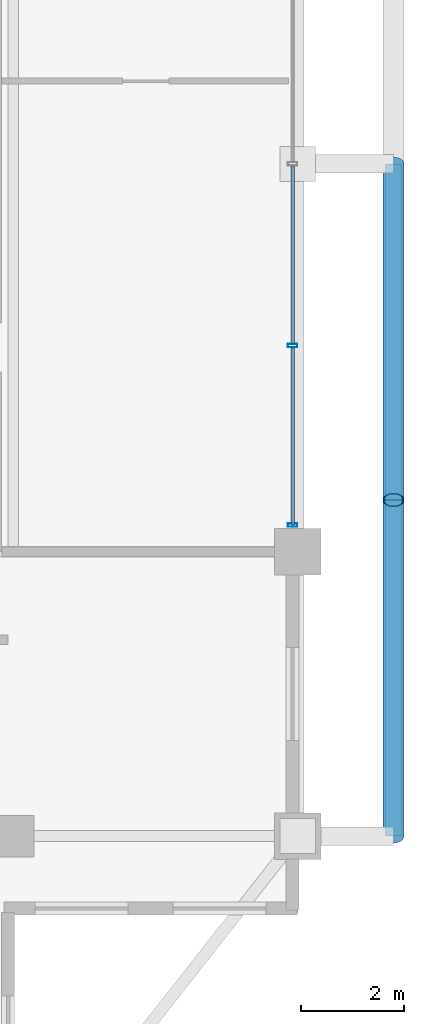
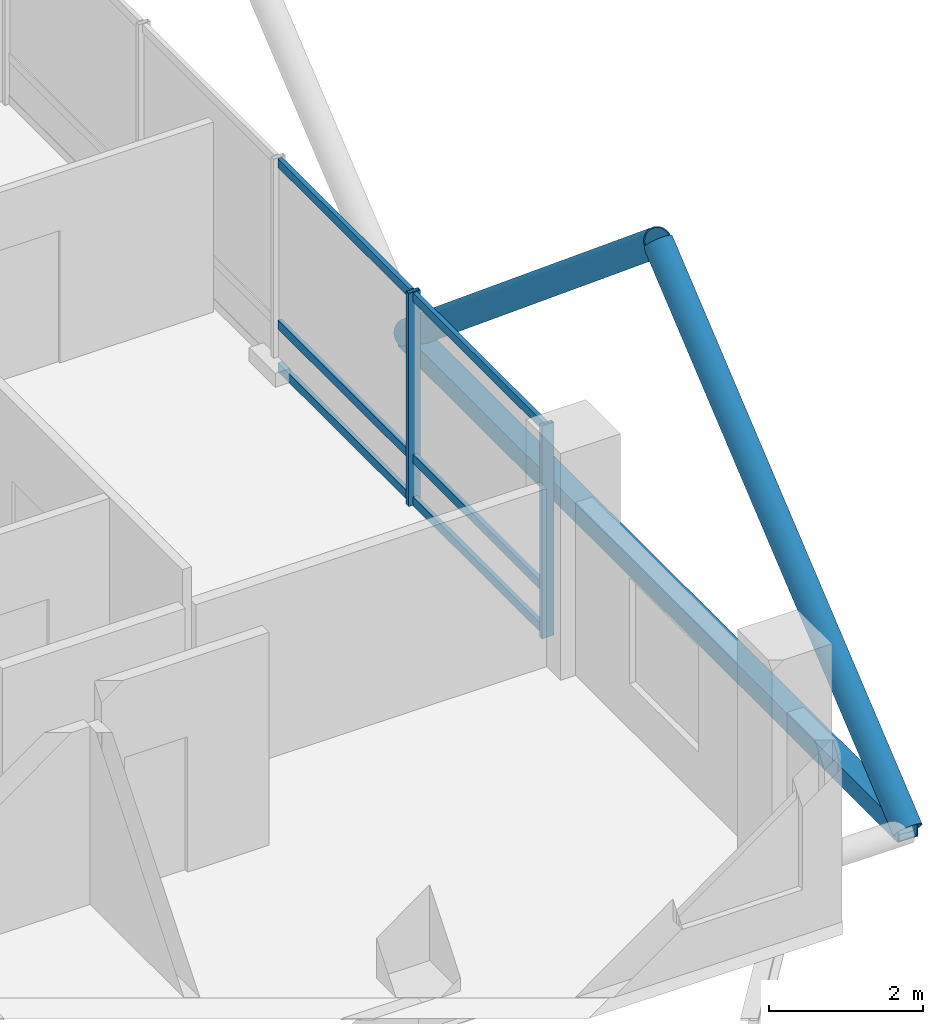
# One storey, part 12 of 24: 11 members, 1 element without a shape of its own.
"""IFC4 building model written with IfcOpenShell, lengths in metres."""

from ifc_helpers import new_model, si_unit, direction, frame, origin, origin_2d, place, context, subcontext, project, spatial, hollow_rectangle, hollow_circle, extrude, material, layer, layer_set, material_profile, profile_set, type_object, element, aggregate, save


model = new_model("IFC4")

# Units and contexts
model_context = context("Model", 3, precision=1e-05, world=origin(), true_north=direction((0.0, 1.0)))
body_context = subcontext(model_context, "Body", "Model", "MODEL_VIEW")
ifc_project = project(units=[si_unit("LENGTHUNIT", "METRE"), si_unit("AREAUNIT", "SQUARE_METRE"), si_unit("VOLUMEUNIT", "CUBIC_METRE"), si_unit("PLANEANGLEUNIT", "RADIAN"), si_unit("MASSUNIT", "GRAM", prefix="KILO")], contexts=[model_context])

# Site, building, storey
site_placement = place(None, origin())
site = spatial("IfcSite", under=ifc_project, at=site_placement, CompositionType="ELEMENT")
building_placement = place(site_placement, origin())
building = spatial("IfcBuilding", under=site, at=building_placement, Name="Barlavira Tower and Art Museum", CompositionType="ELEMENT")
storey_placement = place(building_placement, frame((0.0, 0.0, 283.5)))
storey = spatial("IfcBuildingStorey", under=building, at=storey_placement, Name="L74", CompositionType="ELEMENT", Elevation=283.5)

# Curtain wall, members
ifc_material_1 = material(Name="Low-iron coastal laminated glass", Category="glass")
ifc_layer = layer(ifc_material_1, 0.2099609375, Name="Low-iron coastal laminated glass")
ifc_layer_set = layer_set([ifc_layer], Name="Low-iron coastal laminated glass")
curtain_wall_type = type_object("IfcCurtainWallType", Name="Pale-Metal Unitised Curtain Wall Zone 4", PredefinedType="NOTDEFINED", material=ifc_layer_set)
curtain_wall_placement = place(storey_placement, origin())
curtain_wall = element("IfcCurtainWall", 1, at=curtain_wall_placement, inside=storey, type_object=curtain_wall_type, Name="L74 Curtain Wall CW4-L74-E-B3", PredefinedType="NOTDEFINED")
ifc_material_2 = material(Name="Pale anodised aluminium", Category="aluminium")
ifc_material_profile_1 = material_profile(ifc_material_2, hollow_rectangle(XDim=0.06494140625, YDim=0.179931640625, WallThickness=0.00390625, at=origin_2d()), Name="ALU-MULL 65x180x4")
ifc_profile_set_1 = profile_set([ifc_material_profile_1], Name="Pale anodised aluminium")
member_type_1 = type_object("IfcMemberType", Name="Curtain Wall Pale-Metal Mullion 65x180", PredefinedType="MULLION", material=ifc_profile_set_1)
member_1_placement = place(storey_placement, frame((16.89990234375, -6.985107421875, 0.0), z_axis=(0.0, 0.0, 1.0), x_axis=(0.0, 1.0, 0.0)))
member_1 = element("IfcMember", 2, at=member_1_placement, type_object=member_type_1, Name="CW4-L74-E-B3 Mullion 0", PredefinedType="MULLION", context=body_context, shape_type="SweptSolid", body=[
    extrude(hollow_rectangle(XDim=0.06494140625, YDim=0.179931640625, WallThickness=0.00390625, at=origin_2d()), origin(), (0.0, 0.0, 1.0), 3.3798828125),
])
member_2_placement = place(storey_placement, frame((16.89990234375, -3.514892578125, 0.0), z_axis=(0.0, 0.0, 1.0), x_axis=(0.0, 1.0, 0.0)))
member_2 = element("IfcMember", 3, at=member_2_placement, type_object=member_type_1, Name="CW4-L74-E-B3 Mullion 1", PredefinedType="MULLION", context=body_context, shape_type="SweptSolid", body=[
    extrude(hollow_rectangle(XDim=0.06494140625, YDim=0.179931640625, WallThickness=0.00390625, at=origin_2d()), origin(), (0.0, 0.0, 1.0), 3.3798828125),
])
ifc_material_profile_2 = material_profile(ifc_material_2, hollow_rectangle(XDim=0.06494140625, YDim=0.139892578125, WallThickness=0.00390625, at=origin_2d()), Name="ALU-TRAN 65x140x4")
ifc_profile_set_2 = profile_set([ifc_material_profile_2], Name="Pale anodised aluminium")
member_type_2 = type_object("IfcMemberType", Name="Curtain Wall Pale-Metal Transom 65x140", PredefinedType="USERDEFINED", material=ifc_profile_set_2)
member_3_placement = place(storey_placement, frame((16.89990234375, -6.985107421875, 0.070068359375), z_axis=(0.0, 1.0, 0.0), x_axis=(-1.0, 0.0, 0.0)))
member_3 = element("IfcMember", 4, at=member_3_placement, type_object=member_type_2, Name="CW4-L74-E-B3 Transom 0.1", ObjectType="TRANSOM", PredefinedType="USERDEFINED", context=body_context, shape_type="SweptSolid", body=[
    extrude(hollow_rectangle(XDim=0.06494140625, YDim=0.139892578125, WallThickness=0.00390625, at=origin_2d()), origin(), (0.0, 0.0, 1.0), 3.425048828125),
])
member_4_placement = place(storey_placement, frame((16.89990234375, -6.985107421875, 0.743896484375), z_axis=(0.0, 1.0, 0.0), x_axis=(-1.0, 0.0, 0.0)))
member_4 = element("IfcMember", 5, at=member_4_placement, type_object=member_type_2, Name="CW4-L74-E-B3 Transom 0.2", ObjectType="TRANSOM", PredefinedType="USERDEFINED", context=body_context, shape_type="SweptSolid", body=[
    extrude(hollow_rectangle(XDim=0.06494140625, YDim=0.139892578125, WallThickness=0.00390625, at=origin_2d()), origin(), (0.0, 0.0, 1.0), 3.425048828125),
])
member_5_placement = place(storey_placement, frame((16.89990234375, -6.985107421875, 3.31005859375), z_axis=(0.0, 1.0, 0.0), x_axis=(-1.0, 0.0, 0.0)))
member_5 = element("IfcMember", 6, at=member_5_placement, type_object=member_type_2, Name="CW4-L74-E-B3 Transom 0.3", ObjectType="TRANSOM", PredefinedType="USERDEFINED", context=body_context, shape_type="SweptSolid", body=[
    extrude(hollow_rectangle(XDim=0.06494140625, YDim=0.139892578125, WallThickness=0.00390625, at=origin_2d()), origin(), (0.0, 0.0, 1.0), 3.425048828125),
])
member_6_placement = place(storey_placement, frame((16.89990234375, -3.469970703125, 0.070068359375), z_axis=(0.0, 1.0, 0.0), x_axis=(-1.0, 0.0, 0.0)))
member_6 = element("IfcMember", 7, at=member_6_placement, type_object=member_type_2, Name="CW4-L74-E-B3 Transom 1.1", ObjectType="TRANSOM", PredefinedType="USERDEFINED", context=body_context, shape_type="SweptSolid", body=[
    extrude(hollow_rectangle(XDim=0.06494140625, YDim=0.139892578125, WallThickness=0.00390625, at=origin_2d()), origin(), (0.0, 0.0, 1.0), 3.425048828125),
])
member_7_placement = place(storey_placement, frame((16.89990234375, -3.469970703125, 0.743896484375), z_axis=(0.0, 1.0, 0.0), x_axis=(-1.0, 0.0, 0.0)))
member_7 = element("IfcMember", 8, at=member_7_placement, type_object=member_type_2, Name="CW4-L74-E-B3 Transom 1.2", ObjectType="TRANSOM", PredefinedType="USERDEFINED", context=body_context, shape_type="SweptSolid", body=[
    extrude(hollow_rectangle(XDim=0.06494140625, YDim=0.139892578125, WallThickness=0.00390625, at=origin_2d()), origin(), (0.0, 0.0, 1.0), 3.425048828125),
])
member_8_placement = place(storey_placement, frame((16.89990234375, -3.469970703125, 3.31005859375), z_axis=(0.0, 1.0, 0.0), x_axis=(-1.0, 0.0, 0.0)))
member_8 = element("IfcMember", 9, at=member_8_placement, type_object=member_type_2, Name="CW4-L74-E-B3 Transom 1.3", ObjectType="TRANSOM", PredefinedType="USERDEFINED", context=body_context, shape_type="SweptSolid", body=[
    extrude(hollow_rectangle(XDim=0.06494140625, YDim=0.139892578125, WallThickness=0.00390625, at=origin_2d()), origin(), (0.0, 0.0, 1.0), 3.425048828125),
])
aggregate(curtain_wall, [member_1, member_2, member_3, member_4, member_5, member_6, member_7, member_8])

# Members
ifc_material_3 = material(Name="Steel S355", Category="steel")
ifc_material_profile_3 = material_profile(ifc_material_3, hollow_circle(Radius=0.203125, WallThickness=0.01611328125, at=origin_2d()), Name="CHS 406.4x16.0")
ifc_profile_set_3 = profile_set([ifc_material_profile_3], Name="Steel S355")
member_type_3 = type_object("IfcMemberType", Name="Pale-Metal Exoskeleton Diagrid Tube CHS 406x16 Steel S355", PredefinedType="BRACE", material=ifc_profile_set_3)
for number, where, z_axis, x_axis, name in (
    (10, (18.85009765625, -13.0, -0.1201171875), (0.0, 0.76918185268, 0.639029950399), (-1.0, 0.0, 0.0), "L74 Exoskeleton Diagrid Tube E"),
    (11, (18.85009765625, 0.0, -0.1201171875), (0.0, -0.76918185268, 0.639029950399), (1.0, 0.0, 0.0), "L74 Exoskeleton Diagrid Tube E"),
):
    element("IfcMember", number, at=place(storey_placement, frame(where, z_axis=z_axis, x_axis=x_axis)), inside=storey, type_object=member_type_3, Name=name, PredefinedType="BRACE", context=body_context, shape_type="SweptSolid", body=[
        extrude(hollow_circle(Radius=0.203125, WallThickness=0.01611328125, at=origin_2d()), origin(), (0.0, 0.0, 1.0), 8.450439453125),
    ])
ifc_material_profile_4 = material_profile(ifc_material_3, hollow_rectangle(XDim=0.300048828125, YDim=0.300048828125, WallThickness=0.01611328125, at=origin_2d()), Name="SHS 300x300x16.0")
ifc_profile_set_4 = profile_set([ifc_material_profile_4], Name="Steel S355")
member_type_4 = type_object("IfcMemberType", Name="Pale-Metal Upper Ring Strut SHS 300x300x16 Steel S355", PredefinedType="STRUT", material=ifc_profile_set_4)
member_9_placement = place(storey_placement, frame((18.85009765625, -13.0, -0.1201171875), z_axis=(0.0, 1.0, 0.0), x_axis=(-1.0, 0.0, 0.0)))
element("IfcMember", 12, at=member_9_placement, inside=storey, type_object=member_type_4, Name="L74 Exoskeleton Ring Strut E", PredefinedType="STRUT", context=body_context, shape_type="SweptSolid", body=[
    extrude(hollow_rectangle(XDim=0.300048828125, YDim=0.300048828125, WallThickness=0.01611328125, at=origin_2d()), origin(), (0.0, 0.0, 1.0), 13.0),
])

save(model, "model.ifc")
